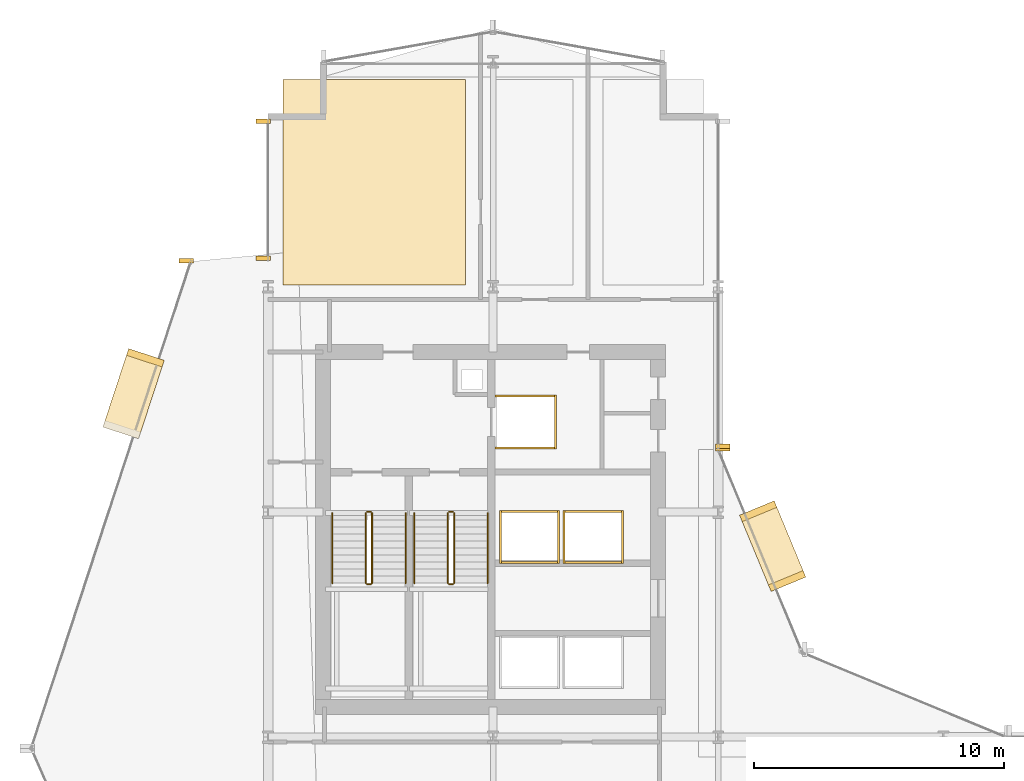
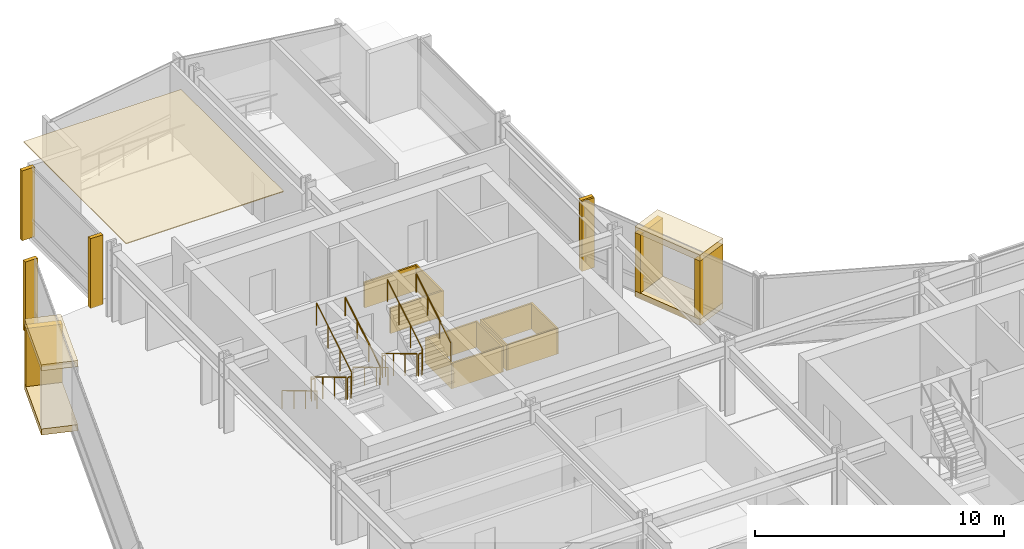
# One storey, part 33 of 34: 24 coverings, 12 railings.
"""IFC4 building model written with IfcOpenShell, lengths in metres."""

import ifcopenshell
import ifcopenshell.guid

model = None  # the IFC model being written
_history = None  # IfcOwnerHistory: only IFC2X3 demands one
_inside = {}  # id of a spatial element -> (the spatial element, [elements in it])
_under = {}  # id of a project, library or spatial element -> (it, [spatial elements below it])
_declared = {}  # id of a project -> (the project, [libraries it declares])
_typed = {}  # id of a type object -> (the type object, [elements of that type])
_made_of = {}  # id of a material, layer set ... -> (it, [elements and type objects made of it])


def new_model(schema):
    """Start an empty IFC model of exactly this schema.

    Asked for "IFC4X3", IfcOpenShell would pick the latest addendum, in which some entities
    have other attributes; the version numbers below select the first issue.
    IFC2X3 requires an IfcOwnerHistory on every rooted entity: one is made here for all.
    """
    global model, _history
    if schema == "IFC4X3":
        model = ifcopenshell.file(schema_version=(4, 3, 0, 0))
    else:
        model = ifcopenshell.file(schema=schema)
    _inside.clear()
    _under.clear()
    _declared.clear()
    _typed.clear()
    _made_of.clear()
    _history = None
    if model.schema == "IFC2X3":
        org = make("IfcOrganization", Name="unknown")
        user = make(
            "IfcPersonAndOrganization",
            ThePerson=make("IfcPerson", FamilyName="unknown"),
            TheOrganization=org,
        )
        app = make(
            "IfcApplication",
            ApplicationDeveloper=org,
            Version="unknown",
            ApplicationFullName="unknown",
            ApplicationIdentifier="unknown",
        )
        _history = make(
            "IfcOwnerHistory",
            OwningUser=user,
            OwningApplication=app,
            ChangeAction="ADDED",
            CreationDate=0,
        )
    return model


def make(cls, **values):
    """One entity of the class cls with the attributes given. An attribute that is None is left unset."""
    return model.create_entity(
        cls, **{name: value for name, value in values.items() if value is not None}
    )


def rooted(cls, **values):
    """An entity with a GlobalId (a new one), such as an element, a storey or a relation."""
    return make(cls, GlobalId=ifcopenshell.guid.new(), OwnerHistory=_history, **values)


def si_unit(unit_type, name, prefix=None):
    """IfcSIUnit, for example si_unit("LENGTHUNIT", "METRE", prefix="MILLI")."""
    return make("IfcSIUnit", UnitType=unit_type, Prefix=prefix, Name=name)


def assignment(units):
    """IfcUnitAssignment: the units of a project."""
    return None if units is None else make("IfcUnitAssignment", Units=units)


def point(xyz):
    """IfcCartesianPoint."""
    return None if xyz is None else make("IfcCartesianPoint", Coordinates=xyz)


def direction(xyz):
    """IfcDirection."""
    return None if xyz is None else make("IfcDirection", DirectionRatios=xyz)


def frame(location, z_axis=None, x_axis=None):
    """IfcAxis2Placement3D, a coordinate frame: its origin and axes. An axis left out is left unset."""
    return make(
        "IfcAxis2Placement3D",
        Location=point(location),
        Axis=direction(z_axis),
        RefDirection=direction(x_axis),
    )


def frame_2d(location, x_axis=None):
    """IfcAxis2Placement2D, a coordinate frame in the plane: its origin and x axis."""
    return make(
        "IfcAxis2Placement2D", Location=point(location), RefDirection=direction(x_axis)
    )


def origin():
    """The frame at (0, 0, 0) with its axes left unset."""
    return frame((0.0, 0.0, 0.0))


def origin_2d():
    """The frame at (0, 0) in the plane with its x axis left unset."""
    return frame_2d((0.0, 0.0))


def place(relative_to, where):
    """IfcLocalPlacement: puts the frame where relative to a parent placement (None: the world)."""
    return make(
        "IfcLocalPlacement", PlacementRelTo=relative_to, RelativePlacement=where
    )


def context(
    kind, dimensions, precision=None, world=None, true_north=None, identifier=None
):
    """IfcGeometricRepresentationContext, for example the 3D "Model" context."""
    return make(
        "IfcGeometricRepresentationContext",
        ContextIdentifier=identifier,
        ContextType=kind,
        CoordinateSpaceDimension=dimensions,
        Precision=precision,
        WorldCoordinateSystem=world,
        TrueNorth=true_north,
    )


def subcontext(parent, identifier, kind, view, scale=None):
    """IfcGeometricRepresentationSubContext, for example "Body" below "Model"."""
    return make(
        "IfcGeometricRepresentationSubContext",
        ContextIdentifier=identifier,
        ContextType=kind,
        ParentContext=parent,
        TargetScale=scale,
        TargetView=view,
    )


def project(units=None, contexts=None):
    """IfcProject with its units and contexts."""
    return rooted(
        "IfcProject",
        Name="project",
        RepresentationContexts=contexts,
        UnitsInContext=assignment(units),
    )


def spatial(cls, under=None, at=None, **own):
    """A site, building, storey or space (cls), placed at a placement, below another one or the project."""
    s = rooted(cls, ObjectPlacement=at, **own)
    if under is not None:
        _under.setdefault(under.id(), (under, []))[1].append(s)
    return s


def polyline(points):
    """IfcPolyline through the points."""
    return make("IfcPolyline", Points=[point(p) for p in points])


def profile(cls, at=None, kind="AREA", **sizes):
    """A parametric profile (cls). Its sizes go by their IFC names, for example OverallWidth=200.0."""
    return make(cls, ProfileType=kind, Position=at, **sizes)


def rectangle(**sizes):
    """IfcRectangleProfileDef."""
    return profile("IfcRectangleProfileDef", **sizes)


def circle(**sizes):
    """IfcCircleProfileDef."""
    return profile("IfcCircleProfileDef", **sizes)


def outline(outer, holes=None, kind="AREA"):
    """IfcArbitraryClosedProfileDef: a profile drawn as a closed curve; with holes, ...WithVoids."""
    if holes is None:
        return make("IfcArbitraryClosedProfileDef", ProfileType=kind, OuterCurve=outer)
    return make(
        "IfcArbitraryProfileDefWithVoids",
        ProfileType=kind,
        OuterCurve=outer,
        InnerCurves=holes,
    )


def extrude(swept, where, along, depth):
    """IfcExtrudedAreaSolid: the profile swept, set in the frame where, extruded along a direction by depth."""
    return make(
        "IfcExtrudedAreaSolid",
        SweptArea=swept,
        Position=where,
        ExtrudedDirection=direction(along),
        Depth=depth,
    )


def shape(context_of_items, identifier, shape_type, items):
    """IfcShapeRepresentation: the items that make up one representation, for example the "Body"."""
    return make(
        "IfcShapeRepresentation",
        ContextOfItems=context_of_items,
        RepresentationIdentifier=identifier,
        RepresentationType=shape_type,
        Items=items,
    )


def material(Name=None, Category=None):
    """IfcMaterial."""
    return make("IfcMaterial", Name=Name, Category=Category)


def layer(
    of_material, thickness, ventilated=None, Name=None, Category=None, Priority=None
):
    """IfcMaterialLayer: one layer of a wall or slab, of a material (None: an air gap)."""
    return make(
        "IfcMaterialLayer",
        Material=of_material,
        LayerThickness=thickness,
        IsVentilated=ventilated,
        Name=Name,
        Category=Category,
        Priority=Priority,
    )


def layer_set(layers, Name=None):
    """IfcMaterialLayerSet."""
    return make("IfcMaterialLayerSet", MaterialLayers=layers, LayerSetName=Name)


def made_of(thing, what):
    """Note that an element or type object is made of a material, layer set ...; save() writes the relation."""
    if what is not None:
        _made_of.setdefault(what.id(), (what, []))[1].append(thing)
    return thing


def type_object(cls, material=None, **own):
    """A type object (cls), such as IfcWallType, which elements share."""
    return made_of(rooted(cls, **own), material)


def element(
    cls,
    number,
    at=None,
    inside=None,
    cuts=None,
    type_object=None,
    material=None,
    context=None,
    identifier="Body",
    shape_type=None,
    held_by="IfcProductDefinitionShape",
    body=None,
    shapes=None,
    **own,
):
    """One element of the class cls, such as IfcWall. Its Tag is "e" and its number.

    at: its placement. inside: the storey or other place that contains it. cuts: it is an
    opening in that element (IfcRelVoidsElement). A single representation is given by context,
    identifier, shape_type and body (its items); several are given by shapes. held_by: the class
    of the entity that holds the representations. save() writes the other relations.
    """
    e = rooted(cls, Tag="e%d" % number, ObjectPlacement=at, **own)
    if body is not None:
        shapes = [shape(context, identifier, shape_type, body)]
    if shapes is not None:
        e.Representation = make(held_by, Representations=shapes)
    if inside is not None:
        _inside.setdefault(inside.id(), (inside, []))[1].append(e)
    if cuts is not None:
        rooted(
            "IfcRelVoidsElement", RelatingBuildingElement=cuts, RelatedOpeningElement=e
        )
    if type_object is not None:
        _typed.setdefault(type_object.id(), (type_object, []))[1].append(e)
    return made_of(e, material)


def aggregate(whole, parts):
    """IfcRelAggregates: a whole, such as a stair, and the parts it consists of."""
    return rooted("IfcRelAggregates", RelatingObject=whole, RelatedObjects=parts)


def save(model, path):
    """Write the relations noted so far, then the file.

    IfcRelAggregates (storeys below a building ...), IfcRelContainedInSpatialStructure (elements
    in a storey), IfcRelDefinesByType, IfcRelAssociatesMaterial and IfcRelDeclares: one each for
    every whole, place, type object, material and project.
    """
    for whole, parts in _under.values():
        aggregate(whole, parts)
    for where, things in _inside.values():
        rooted(
            "IfcRelContainedInSpatialStructure",
            RelatedElements=things,
            RelatingStructure=where,
        )
    for kind, things in _typed.values():
        rooted("IfcRelDefinesByType", RelatedObjects=things, RelatingType=kind)
    for what, things in _made_of.values():
        rooted("IfcRelAssociatesMaterial", RelatedObjects=things, RelatingMaterial=what)
    for by, libraries in _declared.values():
        rooted("IfcRelDeclares", RelatingContext=by, RelatedDefinitions=libraries)
    model.write(path)


model = new_model("IFC4")

# Units and contexts
model_context = context("Model", 3, precision=1e-05, world=origin(), true_north=direction((0.0, 1.0)))
body_context = subcontext(model_context, "Body", "Model", "MODEL_VIEW")
ifc_project = project(units=[si_unit("LENGTHUNIT", "METRE"), si_unit("AREAUNIT", "SQUARE_METRE"), si_unit("VOLUMEUNIT", "CUBIC_METRE"), si_unit("PLANEANGLEUNIT", "RADIAN"), si_unit("MASSUNIT", "GRAM", prefix="KILO")], contexts=[model_context])

# Site, building, storey
site_placement = place(None, origin())
site = spatial("IfcSite", under=ifc_project, at=site_placement, CompositionType="ELEMENT")
building_placement = place(site_placement, origin())
building = spatial("IfcBuilding", under=site, at=building_placement, Name="Solvaryn Broadcast Tower", CompositionType="ELEMENT")
storey_placement = place(building_placement, frame((0.0, 0.0, 61.89990234375)))
storey = spatial("IfcBuildingStorey", under=building, at=storey_placement, Name="L14", CompositionType="ELEMENT", Elevation=61.89990234375)

# Coverings
ifc_material_1 = material(Name="Micro-Perforated Acoustic Gypsum Ceiling", Category="concrete")
ifc_layer_1 = layer(ifc_material_1, 0.0400390625)
ifc_layer_set_1 = layer_set([ifc_layer_1], Name="CV-CEIL-ACOUSTIC")
covering_type_1 = type_object("IfcCoveringType", Name="CV-CEIL-ACOUSTIC", PredefinedType="CEILING", material=ifc_layer_set_1)
covering_1_placement = place(storey_placement, frame((0.0, 0.0, 3.380126953125)))
element("IfcCovering", 1, at=covering_1_placement, inside=storey, type_object=covering_type_1, Name="L14 Room Acoustic Ceiling 7", PredefinedType="CEILING", context=body_context, shape_type="SweptSolid", body=[
    extrude(outline(polyline([(9.60009765625, 45.070068359375), (16.89990234375, 45.070068359375), (16.89990234375, 53.300048828125), (9.60009765625, 53.300048828125), (9.60009765625, 45.070068359375)])), origin(), (0.0, 0.0, 1.0), 0.0400390625),
])
ifc_material_2 = material(Name="Fire-Rated Gypsum Shaftwall Liner", Category="concrete")
ifc_layer_2 = layer(ifc_material_2, 0.080078125)
ifc_layer_set_2 = layer_set([ifc_layer_2], Name="CV-SHAFT-LINER")
covering_type_2 = type_object("IfcCoveringType", Name="CV-SHAFT-LINER", PredefinedType="CLADDING", material=ifc_layer_set_2)
for number, where, z_axis, x_axis, name in (
    (2, (19.300048828125, 40.639892578125, 0.0), (0.0, 0.0, 1.0), (1.0, 0.0, 0.0), "L14 FL1 Hoistway Shaft Liner North"),
    (3, (19.300048828125, 38.56005859375, 0.0), (0.0, 0.0, 1.0), (1.0, 0.0, 0.0), "L14 FL1 Hoistway Shaft Liner South"),
):
    element("IfcCovering", number, at=place(storey_placement, frame(where, z_axis=z_axis, x_axis=x_axis)), inside=storey, type_object=covering_type_2, Name=name, PredefinedType="CLADDING", context=body_context, shape_type="SweptSolid", body=[
        extrude(rectangle(XDim=2.4599609375, YDim=0.080078125, at=origin_2d()), origin(), (0.0, 0.0, 1.0), 1.25),
    ])
covering_2_placement = place(storey_placement, frame((20.489990234375, 39.60009765625, 0.0), z_axis=(0.0, 0.0, 1.0), x_axis=(1.0, 0.0, 0.0)))
element("IfcCovering", 4, at=covering_2_placement, inside=storey, type_object=covering_type_2, Name="L14 FL1 Hoistway Shaft Liner East", PredefinedType="CLADDING", context=body_context, shape_type="SweptSolid", body=[
    extrude(rectangle(XDim=0.080078125, YDim=2.159912109375, at=origin_2d()), origin(), (0.0, 0.0, 1.0), 1.25),
])
for number, where, z_axis, x_axis, name in (
    (5, (19.449951171875, 36.014892578125, 0.0), (0.0, 0.0, 1.0), (1.0, 0.0, 0.0), "L14 PH3 Hoistway Shaft Liner North"),
    (6, (19.449951171875, 33.985107421875, 0.0), (0.0, 0.0, 1.0), (1.0, 0.0, 0.0), "L14 PH3 Hoistway Shaft Liner South"),
):
    element("IfcCovering", number, at=place(storey_placement, frame(where, z_axis=z_axis, x_axis=x_axis)), inside=storey, type_object=covering_type_2, Name=name, PredefinedType="CLADDING", context=body_context, shape_type="SweptSolid", body=[
        extrude(rectangle(XDim=2.409912109375, YDim=0.080078125, at=origin_2d()), origin(), (0.0, 0.0, 1.0), 1.25),
    ])
for number, where, z_axis, x_axis, name in (
    (7, (20.614990234375, 35.0, 0.0), (0.0, 0.0, 1.0), (1.0, 0.0, 0.0), "L14 PH3 Hoistway Shaft Liner East"),
    (8, (18.284912109375, 35.0, 0.0), (0.0, 0.0, 1.0), (1.0, 0.0, 0.0), "L14 PH3 Hoistway Shaft Liner West"),
):
    element("IfcCovering", number, at=place(storey_placement, frame(where, z_axis=z_axis, x_axis=x_axis)), inside=storey, type_object=covering_type_2, Name=name, PredefinedType="CLADDING", context=body_context, shape_type="SweptSolid", body=[
        extrude(rectangle(XDim=0.080078125, YDim=2.110107421875, at=origin_2d()), origin(), (0.0, 0.0, 1.0), 1.25),
    ])
for number, where, z_axis, x_axis, name in (
    (9, (22.0, 36.014892578125, 0.0), (0.0, 0.0, 1.0), (1.0, 0.0, 0.0), "L14 PH4 Hoistway Shaft Liner North"),
    (10, (22.0, 33.985107421875, 0.0), (0.0, 0.0, 1.0), (1.0, 0.0, 0.0), "L14 PH4 Hoistway Shaft Liner South"),
):
    element("IfcCovering", number, at=place(storey_placement, frame(where, z_axis=z_axis, x_axis=x_axis)), inside=storey, type_object=covering_type_2, Name=name, PredefinedType="CLADDING", context=body_context, shape_type="SweptSolid", body=[
        extrude(rectangle(XDim=2.409912109375, YDim=0.080078125, at=origin_2d()), origin(), (0.0, 0.0, 1.0), 1.25),
    ])
for number, where, z_axis, x_axis, name in (
    (11, (23.1650390625, 35.0, 0.0), (0.0, 0.0, 1.0), (1.0, 0.0, 0.0), "L14 PH4 Hoistway Shaft Liner East"),
    (12, (20.8349609375, 35.0, 0.0), (0.0, 0.0, 1.0), (1.0, 0.0, 0.0), "L14 PH4 Hoistway Shaft Liner West"),
):
    element("IfcCovering", number, at=place(storey_placement, frame(where, z_axis=z_axis, x_axis=x_axis)), inside=storey, type_object=covering_type_2, Name=name, PredefinedType="CLADDING", context=body_context, shape_type="SweptSolid", body=[
        extrude(rectangle(XDim=0.080078125, YDim=2.110107421875, at=origin_2d()), origin(), (0.0, 0.0, 1.0), 1.25),
    ])
ifc_material_3 = material(Name="Glazed Architectural Terracotta Rainscreen Cladding", Category="masonry")
ifc_layer_3 = layer(ifc_material_3, 0.280029296875)
ifc_layer_set_3 = layer_set([ifc_layer_3], Name="CV-TC-CLAD")
covering_type_3 = type_object("IfcCoveringType", Name="CV-TC-CLAD", PredefinedType="CLADDING", material=ifc_layer_set_3)
for number, where, z_axis, x_axis, name in (
    (13, (3.6259765625, 40.73291015625, 3.1298828125), (0.0, 0.0, 1.0), (-0.311671636848, -0.950189870912, 0.0), "L14 Projecting Stone Window Box Hood 1"),
    (14, (3.6259765625, 40.73291015625, -0.009765625), (0.0, 0.0, 1.0), (-0.311671636848, -0.950189870912, 0.0), "L14 Projecting Stone Window Box Sill 1"),
):
    element("IfcCovering", number, at=place(storey_placement, frame(where, z_axis=z_axis, x_axis=x_axis)), inside=storey, type_object=covering_type_3, Name=name, PredefinedType="CLADDING", context=body_context, shape_type="SweptSolid", body=[
        extrude(rectangle(XDim=3.300048828125, YDim=1.5, at=origin_2d()), origin(), (0.0, 0.0, 1.0), 0.300048828125),
    ])
covering_3_placement = place(storey_placement, frame((4.0966796875, 42.167724609375, 0.2802734375), z_axis=(0.0, 0.0, 1.0), x_axis=(-0.311671636848, -0.950189870912, 0.0)))
element("IfcCovering", 15, at=covering_3_placement, inside=storey, type_object=covering_type_3, Name="L14 Projecting Stone Window Box Cheek 1-1", PredefinedType="CLADDING", context=body_context, shape_type="SweptSolid", body=[
    extrude(rectangle(XDim=0.280029296875, YDim=1.5, at=origin_2d()), origin(), (0.0, 0.0, 1.0), 2.860107421875),
])
for number, where, z_axis, x_axis, name in (
    (16, (29.174072265625, 34.636962890625, 3.1298828125), (0.0, 0.0, 1.0), (-0.382683432365, 0.923879532511, 0.0), "L14 Projecting Stone Window Box Hood 5"),
    (17, (29.174072265625, 34.636962890625, -0.009765625), (0.0, 0.0, 1.0), (-0.382683432365, 0.923879532511, 0.0), "L14 Projecting Stone Window Box Sill 5"),
):
    element("IfcCovering", number, at=place(storey_placement, frame(where, z_axis=z_axis, x_axis=x_axis)), inside=storey, type_object=covering_type_3, Name=name, PredefinedType="CLADDING", context=body_context, shape_type="SweptSolid", body=[
        extrude(rectangle(XDim=3.300048828125, YDim=1.5, at=origin_2d()), origin(), (0.0, 0.0, 1.0), 0.300048828125),
    ])
for number, where, z_axis, x_axis, name in (
    (18, (29.751953125, 33.241943359375, 0.2802734375), (0.0, 0.0, 1.0), (-0.382683432365, 0.923879532511, 0.0), "L14 Projecting Stone Window Box Cheek 5-1"),
    (19, (28.59619140625, 36.031982421875, 0.2802734375), (0.0, 0.0, 1.0), (-0.382683432365, 0.923879532511, 0.0), "L14 Projecting Stone Window Box Cheek 5-2"),
):
    element("IfcCovering", number, at=place(storey_placement, frame(where, z_axis=z_axis, x_axis=x_axis)), inside=storey, type_object=covering_type_3, Name=name, PredefinedType="CLADDING", context=body_context, shape_type="SweptSolid", body=[
        extrude(rectangle(XDim=0.280029296875, YDim=1.5, at=origin_2d()), origin(), (0.0, 0.0, 1.0), 2.860107421875),
    ])
ifc_material_4 = material(Name="Extruded Architectural Terracotta Fin", Category="masonry")
ifc_layer_4 = layer(ifc_material_4, 0.179931640625)
ifc_layer_set_4 = layer_set([ifc_layer_4], Name="CV-TC-FIN")
covering_type_4 = type_object("IfcCoveringType", Name="CV-TC-FIN", PredefinedType="USERDEFINED", material=ifc_layer_set_4)
for number, where, z_axis, x_axis, name in (
    (20, (5.735595703125, 46.043701171875, 0.000244140625), (0.0, 0.0, 1.0), (1.0, 0.0, 0.0), "L14 Terracotta Vertical Fin FIN-L14-DR1-M00"),
    (21, (8.8125, 46.14599609375, 0.000244140625), (0.0, 0.0, 1.0), (1.0, 0.0, 0.0), "L14 Terracotta Vertical Fin FIN-L14-W2-M00"),
    (22, (8.8125, 51.6201171875, 0.000244140625), (0.0, 0.0, 1.0), (1.0, 0.0, 0.0), "L14 Terracotta Vertical Fin FIN-L14-W2-M01"),
    (23, (27.1875, 38.6298828125, 0.000244140625), (0.0, 0.0, 1.0), (1.0, 0.0, 0.0), "L14 Terracotta Vertical Fin FIN-L14-IV-M01"),
    (24, (27.177978515625, 38.541259765625, 0.000244140625), (0.0, 0.0, 1.0), (1.0, 0.0, 0.0), "L14 Terracotta Vertical Fin FIN-L14-CN2-M01"),
):
    element("IfcCovering", number, at=place(storey_placement, frame(where, z_axis=z_axis, x_axis=x_axis)), inside=storey, type_object=covering_type_4, Name=name, ObjectType="FIN", PredefinedType="USERDEFINED", context=body_context, shape_type="SweptSolid", body=[
        extrude(rectangle(XDim=0.580078125, YDim=0.179931640625, at=origin_2d()), origin(), (0.0, 0.0, 1.0), 3.419921875),
    ])

# Railings
ifc_material_5 = material(Name="Painted Steel Stair Well Guard", Category="steel")
railing_type_1 = type_object("IfcRailingType", Name="RL-STAIR-GUARD", PredefinedType="BALUSTRADE", material=ifc_material_5)
railing_1_placement = place(storey_placement, frame((12.909912109375, 35.9599609375, 0.168212890625)))
element("IfcRailing", 25, at=railing_1_placement, inside=storey, type_object=railing_type_1, Name="L14 ST1 stair guard 1", PredefinedType="BALUSTRADE", context=body_context, shape_type="SweptSolid", body=[
    extrude(circle(Radius=0.02392578125, at=origin_2d()), frame((0.0, 0.0, 1.076171875), z_axis=(0.0, -0.857242210791, 0.514913383045), x_axis=(1.0, 0.0, 0.0)), (0.0, 0.0, 1.0), 3.266357421875),
    extrude(circle(Radius=0.02099609375, at=origin_2d()), origin(), (0.0, 0.0, 1.0), 1.052001953125),
    extrude(circle(Radius=0.02099609375, at=origin_2d()), frame((0.0, -0.933349609375, 0.560546875)), (0.0, 0.0, 1.0), 1.052001953125),
    extrude(circle(Radius=0.02099609375, at=origin_2d()), frame((0.0, -1.86669921875, 1.121337890625)), (0.0, 0.0, 1.0), 1.052001953125),
    extrude(circle(Radius=0.02099609375, at=origin_2d()), frame((0.0, -2.800048828125, 1.681884765625)), (0.0, 0.0, 1.0), 1.052001953125),
])
railing_2_placement = place(storey_placement, frame((12.9599609375, 33.110107421875, 1.85009765625)))
element("IfcRailing", 26, at=railing_2_placement, inside=storey, type_object=railing_type_1, Name="L14 ST1 stair guard 2", PredefinedType="BALUSTRADE", context=body_context, shape_type="SweptSolid", body=[
    extrude(circle(Radius=0.02392578125, at=origin_2d()), frame((0.0, 0.0, 1.076171875), z_axis=(1.0, 0.0, 0.0), x_axis=(0.0, 1.0, 0.0)), (0.0, 0.0, 1.0), 0.150146484375),
    extrude(circle(Radius=0.02099609375, at=origin_2d()), origin(), (0.0, 0.0, 1.0), 1.052001953125),
    extrude(circle(Radius=0.02099609375, at=origin_2d()), frame((0.150146484375, 0.0, 0.0)), (0.0, 0.0, 1.0), 1.052001953125),
])
railing_3_placement = place(storey_placement, frame((13.159912109375, 33.159912109375, 2.018310546875)))
element("IfcRailing", 27, at=railing_3_placement, inside=storey, type_object=railing_type_1, Name="L14 ST1 stair guard 3", PredefinedType="BALUSTRADE", context=body_context, shape_type="SweptSolid", body=[
    extrude(circle(Radius=0.02392578125, at=origin_2d()), frame((0.0, 0.0, 1.076171875), z_axis=(0.0, 0.857242210791, 0.514913383045), x_axis=(-1.0, 0.0, 0.0)), (0.0, 0.0, 1.0), 3.266357421875),
    extrude(circle(Radius=0.02099609375, at=origin_2d()), origin(), (0.0, 0.0, 1.0), 1.052001953125),
    extrude(circle(Radius=0.02099609375, at=origin_2d()), frame((0.0, 0.933349609375, 0.560546875)), (0.0, 0.0, 1.0), 1.052001953125),
    extrude(circle(Radius=0.02099609375, at=origin_2d()), frame((0.0, 1.86669921875, 1.121337890625)), (0.0, 0.0, 1.0), 1.052001953125),
    extrude(circle(Radius=0.02099609375, at=origin_2d()), frame((0.0, 2.800048828125, 1.681884765625)), (0.0, 0.0, 1.0), 1.052001953125),
])
railing_4_placement = place(storey_placement, frame((12.9599609375, 36.010009765625, 0.0)))
element("IfcRailing", 28, at=railing_4_placement, inside=storey, type_object=railing_type_1, Name="L14 ST1 stair guard 4", PredefinedType="BALUSTRADE", context=body_context, shape_type="SweptSolid", body=[
    extrude(circle(Radius=0.02392578125, at=origin_2d()), frame((0.0, 0.0, 1.076171875), z_axis=(1.0, 0.0, 0.0), x_axis=(0.0, 1.0, 0.0)), (0.0, 0.0, 1.0), 0.150146484375),
    extrude(circle(Radius=0.02099609375, at=origin_2d()), origin(), (0.0, 0.0, 1.0), 1.052001953125),
    extrude(circle(Radius=0.02099609375, at=origin_2d()), frame((0.150146484375, 0.0, 0.0)), (0.0, 0.0, 1.0), 1.052001953125),
])
railing_5_placement = place(storey_placement, frame((16.18994140625, 35.9599609375, 0.168212890625)))
element("IfcRailing", 29, at=railing_5_placement, inside=storey, type_object=railing_type_1, Name="L14 ST2 stair guard 1", PredefinedType="BALUSTRADE", context=body_context, shape_type="SweptSolid", body=[
    extrude(circle(Radius=0.02392578125, at=origin_2d()), frame((0.0, 0.0, 1.076171875), z_axis=(0.0, -0.857242210791, 0.514913383045), x_axis=(1.0, 0.0, 0.0)), (0.0, 0.0, 1.0), 3.266357421875),
    extrude(circle(Radius=0.02099609375, at=origin_2d()), origin(), (0.0, 0.0, 1.0), 1.052001953125),
    extrude(circle(Radius=0.02099609375, at=origin_2d()), frame((0.0, -0.933349609375, 0.560546875)), (0.0, 0.0, 1.0), 1.052001953125),
    extrude(circle(Radius=0.02099609375, at=origin_2d()), frame((0.0, -1.86669921875, 1.121337890625)), (0.0, 0.0, 1.0), 1.052001953125),
    extrude(circle(Radius=0.02099609375, at=origin_2d()), frame((0.0, -2.800048828125, 1.681884765625)), (0.0, 0.0, 1.0), 1.052001953125),
])
railing_6_placement = place(storey_placement, frame((16.239990234375, 33.110107421875, 1.85009765625)))
element("IfcRailing", 30, at=railing_6_placement, inside=storey, type_object=railing_type_1, Name="L14 ST2 stair guard 2", PredefinedType="BALUSTRADE", context=body_context, shape_type="SweptSolid", body=[
    extrude(circle(Radius=0.02392578125, at=origin_2d()), frame((0.0, 0.0, 1.076171875), z_axis=(1.0, 0.0, 0.0), x_axis=(0.0, 1.0, 0.0)), (0.0, 0.0, 1.0), 0.14990234375),
    extrude(circle(Radius=0.02099609375, at=origin_2d()), origin(), (0.0, 0.0, 1.0), 1.052001953125),
    extrude(circle(Radius=0.02099609375, at=origin_2d()), frame((0.14990234375, 0.0, 0.0)), (0.0, 0.0, 1.0), 1.052001953125),
])
railing_7_placement = place(storey_placement, frame((16.43994140625, 33.159912109375, 2.018310546875)))
element("IfcRailing", 31, at=railing_7_placement, inside=storey, type_object=railing_type_1, Name="L14 ST2 stair guard 3", PredefinedType="BALUSTRADE", context=body_context, shape_type="SweptSolid", body=[
    extrude(circle(Radius=0.02392578125, at=origin_2d()), frame((0.0, 0.0, 1.076171875), z_axis=(0.0, 0.857242210791, 0.514913383045), x_axis=(-1.0, 0.0, 0.0)), (0.0, 0.0, 1.0), 3.266357421875),
    extrude(circle(Radius=0.02099609375, at=origin_2d()), origin(), (0.0, 0.0, 1.0), 1.052001953125),
    extrude(circle(Radius=0.02099609375, at=origin_2d()), frame((0.0, 0.933349609375, 0.560546875)), (0.0, 0.0, 1.0), 1.052001953125),
    extrude(circle(Radius=0.02099609375, at=origin_2d()), frame((0.0, 1.86669921875, 1.121337890625)), (0.0, 0.0, 1.0), 1.052001953125),
    extrude(circle(Radius=0.02099609375, at=origin_2d()), frame((0.0, 2.800048828125, 1.681884765625)), (0.0, 0.0, 1.0), 1.052001953125),
])
railing_8_placement = place(storey_placement, frame((16.239990234375, 36.010009765625, 0.0)))
element("IfcRailing", 32, at=railing_8_placement, inside=storey, type_object=railing_type_1, Name="L14 ST2 stair guard 4", PredefinedType="BALUSTRADE", context=body_context, shape_type="SweptSolid", body=[
    extrude(circle(Radius=0.02392578125, at=origin_2d()), frame((0.0, 0.0, 1.076171875), z_axis=(1.0, 0.0, 0.0), x_axis=(0.0, 1.0, 0.0)), (0.0, 0.0, 1.0), 0.14990234375),
    extrude(circle(Radius=0.02099609375, at=origin_2d()), origin(), (0.0, 0.0, 1.0), 1.052001953125),
    extrude(circle(Radius=0.02099609375, at=origin_2d()), frame((0.14990234375, 0.0, 0.0)), (0.0, 0.0, 1.0), 1.052001953125),
])
ifc_material_6 = material(Name="Brushed Stainless Steel Tubular Handrail", Category="steel")
railing_type_2 = type_object("IfcRailingType", Name="RL-STAIR-HANDRAIL", PredefinedType="HANDRAIL", material=ifc_material_6)
railing_9_placement = place(storey_placement, frame((11.570068359375, 35.9599609375, 0.168212890625)))
element("IfcRailing", 33, at=railing_9_placement, inside=storey, type_object=railing_type_2, Name="L14 ST1 stair handrail 1", PredefinedType="HANDRAIL", context=body_context, shape_type="SweptSolid", body=[
    extrude(circle(Radius=0.02392578125, at=origin_2d()), frame((0.0, 0.0, 0.8759765625), z_axis=(0.0, -0.857242210791, 0.514913383045), x_axis=(1.0, 0.0, 0.0)), (0.0, 0.0, 1.0), 3.266357421875),
    extrude(circle(Radius=0.02099609375, at=origin_2d()), origin(), (0.0, 0.0, 1.0), 0.851806640625),
    extrude(circle(Radius=0.02099609375, at=origin_2d()), frame((0.0, -0.933349609375, 0.560546875)), (0.0, 0.0, 1.0), 0.851806640625),
    extrude(circle(Radius=0.02099609375, at=origin_2d()), frame((0.0, -1.86669921875, 1.121337890625)), (0.0, 0.0, 1.0), 0.851806640625),
    extrude(circle(Radius=0.02099609375, at=origin_2d()), frame((0.0, -2.800048828125, 1.681884765625)), (0.0, 0.0, 1.0), 0.851806640625),
])
railing_10_placement = place(storey_placement, frame((14.5, 33.159912109375, 2.018310546875)))
element("IfcRailing", 34, at=railing_10_placement, inside=storey, type_object=railing_type_2, Name="L14 ST1 stair handrail 2", PredefinedType="HANDRAIL", context=body_context, shape_type="SweptSolid", body=[
    extrude(circle(Radius=0.02392578125, at=origin_2d()), frame((0.0, 0.0, 0.8759765625), z_axis=(0.0, 0.857242210791, 0.514913383045), x_axis=(-1.0, 0.0, 0.0)), (0.0, 0.0, 1.0), 3.266357421875),
    extrude(circle(Radius=0.02099609375, at=origin_2d()), origin(), (0.0, 0.0, 1.0), 0.851806640625),
    extrude(circle(Radius=0.02099609375, at=origin_2d()), frame((0.0, 0.933349609375, 0.560546875)), (0.0, 0.0, 1.0), 0.851806640625),
    extrude(circle(Radius=0.02099609375, at=origin_2d()), frame((0.0, 1.86669921875, 1.121337890625)), (0.0, 0.0, 1.0), 0.851806640625),
    extrude(circle(Radius=0.02099609375, at=origin_2d()), frame((0.0, 2.800048828125, 1.681884765625)), (0.0, 0.0, 1.0), 0.851806640625),
])
railing_11_placement = place(storey_placement, frame((14.85009765625, 35.9599609375, 0.168212890625)))
element("IfcRailing", 35, at=railing_11_placement, inside=storey, type_object=railing_type_2, Name="L14 ST2 stair handrail 1", PredefinedType="HANDRAIL", context=body_context, shape_type="SweptSolid", body=[
    extrude(circle(Radius=0.02392578125, at=origin_2d()), frame((0.0, 0.0, 0.8759765625), z_axis=(0.0, -0.857242210791, 0.514913383045), x_axis=(1.0, 0.0, 0.0)), (0.0, 0.0, 1.0), 3.266357421875),
    extrude(circle(Radius=0.02099609375, at=origin_2d()), origin(), (0.0, 0.0, 1.0), 0.851806640625),
    extrude(circle(Radius=0.02099609375, at=origin_2d()), frame((0.0, -0.933349609375, 0.560546875)), (0.0, 0.0, 1.0), 0.851806640625),
    extrude(circle(Radius=0.02099609375, at=origin_2d()), frame((0.0, -1.86669921875, 1.121337890625)), (0.0, 0.0, 1.0), 0.851806640625),
    extrude(circle(Radius=0.02099609375, at=origin_2d()), frame((0.0, -2.800048828125, 1.681884765625)), (0.0, 0.0, 1.0), 0.851806640625),
])
railing_12_placement = place(storey_placement, frame((17.780029296875, 33.159912109375, 2.018310546875)))
element("IfcRailing", 36, at=railing_12_placement, inside=storey, type_object=railing_type_2, Name="L14 ST2 stair handrail 2", PredefinedType="HANDRAIL", context=body_context, shape_type="SweptSolid", body=[
    extrude(circle(Radius=0.02392578125, at=origin_2d()), frame((0.0, 0.0, 0.8759765625), z_axis=(0.0, 0.857242210791, 0.514913383045), x_axis=(-1.0, 0.0, 0.0)), (0.0, 0.0, 1.0), 3.266357421875),
    extrude(circle(Radius=0.02099609375, at=origin_2d()), origin(), (0.0, 0.0, 1.0), 0.851806640625),
    extrude(circle(Radius=0.02099609375, at=origin_2d()), frame((0.0, 0.933349609375, 0.560546875)), (0.0, 0.0, 1.0), 0.851806640625),
    extrude(circle(Radius=0.02099609375, at=origin_2d()), frame((0.0, 1.86669921875, 1.121337890625)), (0.0, 0.0, 1.0), 0.851806640625),
    extrude(circle(Radius=0.02099609375, at=origin_2d()), frame((0.0, 2.800048828125, 1.681884765625)), (0.0, 0.0, 1.0), 0.851806640625),
])

save(model, "model.ifc")
